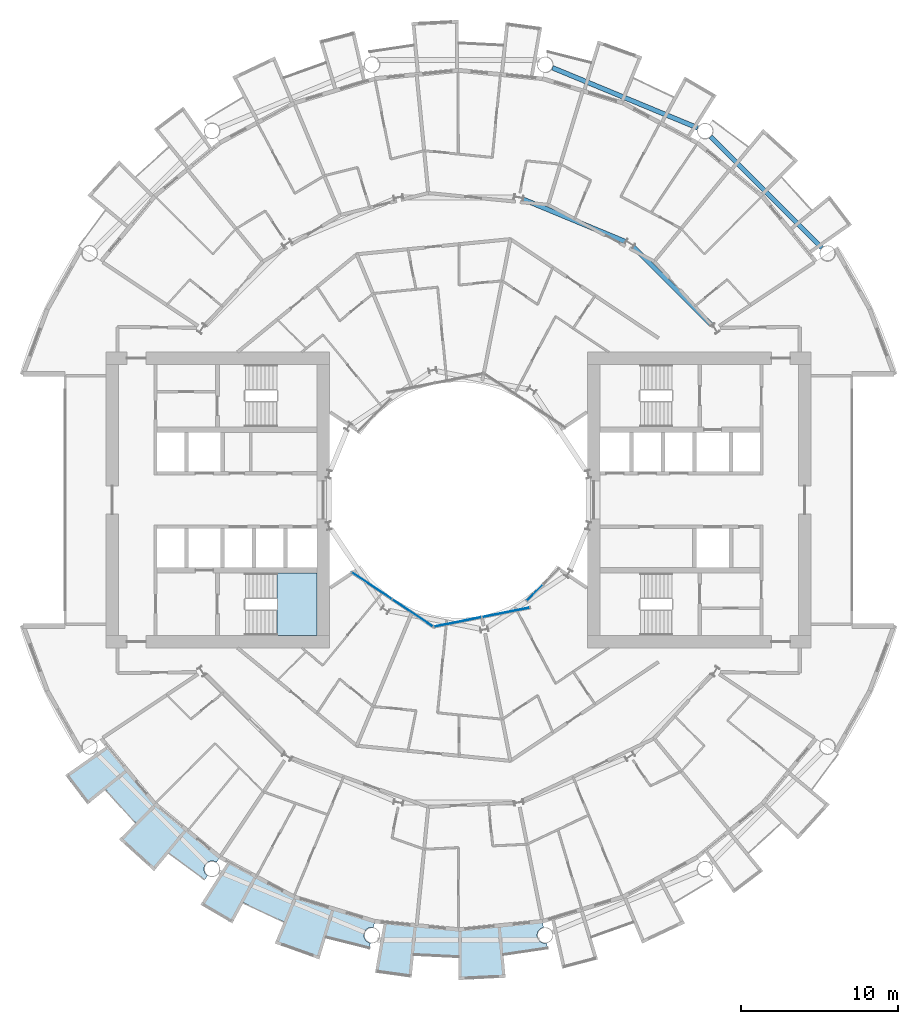
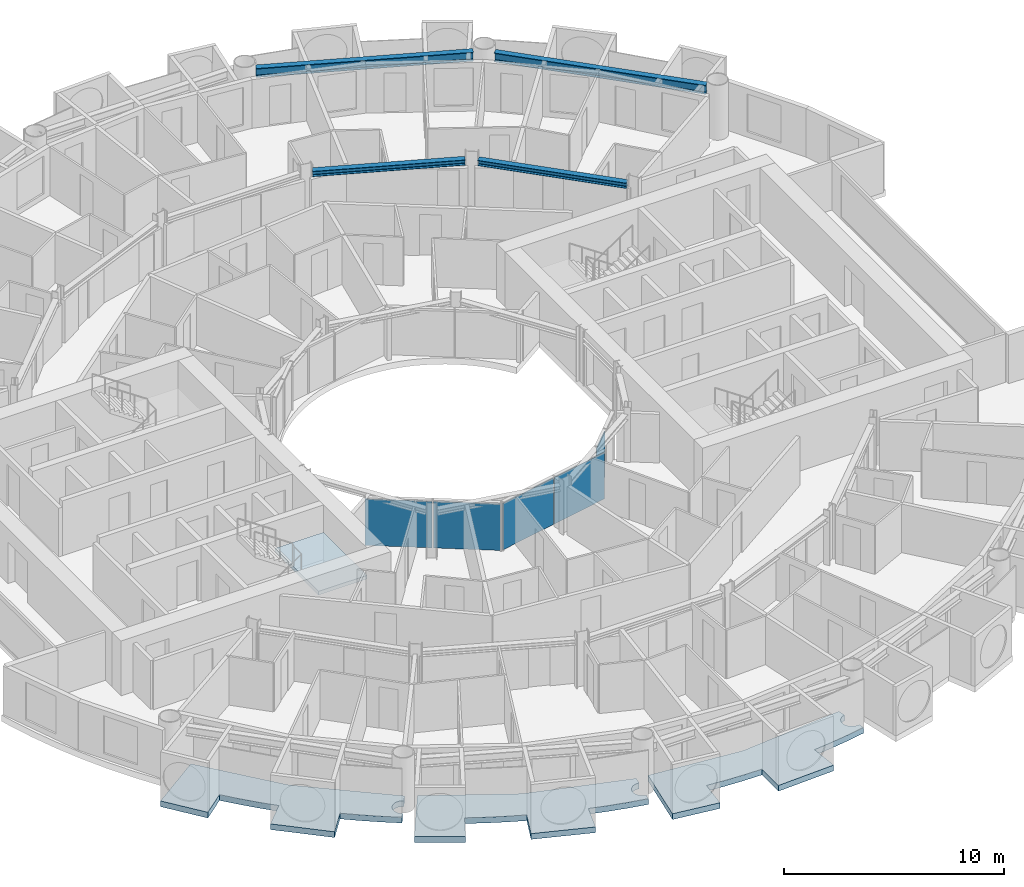
# One storey, part 9 of 26: 5 plates, 4 beams, 4 slabs, 4 elements without a shape of their own.
"""IFC4 building model written with IfcOpenShell, lengths in metres."""

from ifc_helpers import new_model, si_unit, direction, frame, origin, origin_2d, place, context, subcontext, project, spatial, polyline, rectangle, i_section, outline, extrude, material, layer, layer_set, material_profile, profile_set, type_object, element, aggregate, save


model = new_model("IFC4")

# Units and contexts
model_context = context("Model", 3, precision=1e-05, world=origin(), true_north=direction((0.0, 1.0)))
body_context = subcontext(model_context, "Body", "Model", "MODEL_VIEW")
ifc_project = project(units=[si_unit("LENGTHUNIT", "METRE"), si_unit("AREAUNIT", "SQUARE_METRE"), si_unit("VOLUMEUNIT", "CUBIC_METRE"), si_unit("PLANEANGLEUNIT", "RADIAN"), si_unit("MASSUNIT", "GRAM", prefix="KILO")], contexts=[model_context])

# Site, building, storey
site_placement = place(None, origin())
site = spatial("IfcSite", under=ifc_project, at=site_placement, CompositionType="ELEMENT")
building_placement = place(site_placement, origin())
building = spatial("IfcBuilding", under=site, at=building_placement, Name="Maasbend Ring Residences", CompositionType="ELEMENT")
storey_placement = place(building_placement, frame((0.0, 0.0, 22.800048828125)))
storey = spatial("IfcBuildingStorey", under=building, at=storey_placement, Name="L05", CompositionType="ELEMENT", Elevation=22.800048828125)

# Beams
ifc_material_1 = material(Name="Steel S355J2", Category="steel")
ifc_material_profile_1 = material_profile(ifc_material_1, i_section(OverallWidth=0.300048828125, OverallDepth=0.300048828125, WebThickness=0.010986328125, FlangeThickness=0.01904296875, FilletRadius=0.027099609375, at=origin_2d()), Name="HEB 300")
ifc_profile_set_1 = profile_set([ifc_material_profile_1], Name="Steel S355J2")
beam_type_1 = type_object("IfcBeamType", Name="Corridor ring beam HEB 300", PredefinedType="BEAM", material=ifc_profile_set_1)
beam_1_placement = place(storey_placement, frame((16.0732421875, 11.11279296875, 2.550048828125), z_axis=(-0.707106781187, 0.707106781187, 0.0), x_axis=(-0.707106781187, -0.707106781187, 0.0)))
element("IfcBeam", 1, at=beam_1_placement, inside=storey, type_object=beam_type_1, Name="Corridor ring beam", PredefinedType="BEAM", context=body_context, shape_type="SweptSolid", body=[
    extrude(i_section(OverallWidth=0.300048828125, OverallDepth=0.300048828125, WebThickness=0.010986328125, FlangeThickness=0.01904296875, FilletRadius=0.027099609375, at=origin_2d()), origin(), (0.0, 0.0, 1.0), 7.01513671875),
])
beam_2_placement = place(storey_placement, frame((10.59716796875, 16.417724609375, 2.550048828125), z_axis=(-0.923886196809, 0.38266734293, 0.0), x_axis=(-0.38266734293, -0.923886196809, 0.0)))
element("IfcBeam", 2, at=beam_2_placement, inside=storey, type_object=beam_type_1, Name="Corridor ring beam", PredefinedType="BEAM", context=body_context, shape_type="SweptSolid", body=[
    extrude(i_section(OverallWidth=0.300048828125, OverallDepth=0.300048828125, WebThickness=0.010986328125, FlangeThickness=0.01904296875, FilletRadius=0.027099609375, at=origin_2d()), origin(), (0.0, 0.0, 1.0), 7.015380859375),
])
ifc_material_2 = material(Name="Steel S355J2", Category="steel")
ifc_material_profile_2 = material_profile(ifc_material_2, i_section(OverallWidth=0.300048828125, OverallDepth=0.5, WebThickness=0.014404296875, FlangeThickness=0.028076171875, FilletRadius=0.027099609375, at=origin_2d()), Name="HEB 500")
ifc_profile_set_2 = profile_set([ifc_material_profile_2], Name="Steel S355J2")
beam_type_2 = type_object("IfcBeamType", Name="Spandrel ring beam HEB 500", PredefinedType="SPANDREL", material=ifc_profile_set_2)
beam_3_placement = place(storey_placement, frame((23.088134765625, 16.0263671875, 2.449951171875), z_axis=(-0.707106781187, 0.707106781187, 0.0), x_axis=(-0.707106781187, -0.707106781187, 0.0)))
element("IfcBeam", 3, at=beam_3_placement, inside=storey, type_object=beam_type_2, Name="Spandrel ring beam", PredefinedType="SPANDREL", context=body_context, shape_type="SweptSolid", body=[
    extrude(i_section(OverallWidth=0.300048828125, OverallDepth=0.5, WebThickness=0.014404296875, FlangeThickness=0.028076171875, FilletRadius=0.027099609375, at=origin_2d()), origin(), (0.0, 0.0, 1.0), 9.98681640625),
])
beam_4_placement = place(storey_placement, frame((15.19775390625, 23.641845703125, 2.449951171875), z_axis=(-0.923886337442, 0.382667003395, 0.0), x_axis=(-0.382667003395, -0.923886337442, 0.0)))
element("IfcBeam", 4, at=beam_4_placement, inside=storey, type_object=beam_type_2, Name="Spandrel ring beam", PredefinedType="SPANDREL", context=body_context, shape_type="SweptSolid", body=[
    extrude(i_section(OverallWidth=0.300048828125, OverallDepth=0.5, WebThickness=0.014404296875, FlangeThickness=0.028076171875, FilletRadius=0.027099609375, at=origin_2d()), origin(), (0.0, 0.0, 1.0), 9.9873046875),
])

# Stair, slab
ifc_material_3 = material(Name="Concrete C40/50", Category="concrete")
stair_type = type_object("IfcStairType", Name="CORE STAIR 18 RISERS", PredefinedType="HALF_TURN_STAIR", material=ifc_material_3)
stair_placement = place(storey_placement, origin())
stair = element("IfcStair", 5, at=stair_placement, inside=storey, type_object=stair_type, Name="L05 Exit stair ST-W1", PredefinedType="HALF_TURN_STAIR")
ifc_material_4 = material(Name="Concrete C40/50", Category="concrete")
ifc_layer_1 = layer(ifc_material_4, 0.199951171875)
ifc_layer_set_1 = layer_set([ifc_layer_1], Name="Concrete C40/50")
slab_type_1 = type_object("IfcSlabType", Name="CORE STAIR LANDING 200", PredefinedType="LANDING", material=ifc_layer_set_1)
slab_1_placement = place(storey_placement, frame((0.0, 0.0, 1.324951171875)))
slab_1 = element("IfcSlab", 6, at=slab_1_placement, type_object=slab_type_1, Name="ST-W1 landing 1", PredefinedType="LANDING", context=body_context, shape_type="SweptSolid", body=[
    extrude(outline(polyline([(-11.550048828125, -8.60009765625), (-9.0, -8.60009765625), (-9.0, -4.64990234375), (-11.550048828125, -4.64990234375), (-11.550048828125, -8.60009765625)])), origin(), (0.0, 0.0, 1.0), 0.199951171875),
])
aggregate(stair, [slab_1])

# Curtain wall, plates
ifc_material_5 = material(Name="Aluminium and clear glass", Category="aluminium")
ifc_layer_2 = layer(ifc_material_5, 0.179931640625)
ifc_layer_set_2 = layer_set([ifc_layer_2], Name="CW-W")
curtain_wall_type = type_object("IfcCurtainWallType", Name="CW-W", PredefinedType="NOTDEFINED", material=ifc_layer_set_2)
curtain_wall_1_placement = place(storey_placement, origin())
curtain_wall_1 = element("IfcCurtainWall", 7, at=curtain_wall_1_placement, inside=storey, type_object=curtain_wall_type, Name="Well curtain wall S1", PredefinedType="NOTDEFINED")
ifc_material_6 = material(Name="Glass clear laminated", Category="glass")
ifc_layer_3 = layer(ifc_material_6, 0.031982421875)
ifc_layer_set_3 = layer_set([ifc_layer_3], Name="CWP-W")
plate_type = type_object("IfcPlateType", Name="CWP-W", PredefinedType="CURTAIN_PANEL", material=ifc_layer_set_3)
plate_1_placement = place(storey_placement, frame((-5.51123046875, -5.44580078125, 0.0), z_axis=(0.0, 0.0, 1.0), x_axis=(0.831469612303, -0.55557023302, 0.0)))
plate_1 = element("IfcPlate", 8, at=plate_1_placement, type_object=plate_type, Name="Glass panel well face", PredefinedType="CURTAIN_PANEL", context=body_context, shape_type="SweptSolid", body=[
    extrude(rectangle(XDim=3.053955078125, YDim=0.031982421875, at=origin_2d()), origin(), (0.0, 0.0, 1.0), 2.580078125),
])
plate_2_placement = place(storey_placement, frame((-2.922119140625, -7.17578125, 0.0), z_axis=(0.0, 0.0, 1.0), x_axis=(0.831469612303, -0.55557023302, 0.0)))
plate_2 = element("IfcPlate", 9, at=plate_2_placement, type_object=plate_type, Name="Glass panel well face", PredefinedType="CURTAIN_PANEL", context=body_context, shape_type="SweptSolid", body=[
    extrude(rectangle(XDim=3.053955078125, YDim=0.031982421875, at=origin_2d()), origin(), (0.0, 0.0, 1.0), 2.580078125),
])
aggregate(curtain_wall_1, [plate_1, plate_2])

curtain_wall_2_placement = place(storey_placement, origin())
curtain_wall_2 = element("IfcCurtainWall", 10, at=curtain_wall_2_placement, inside=storey, type_object=curtain_wall_type, Name="Well curtain wall S2", PredefinedType="NOTDEFINED")
plate_3_placement = place(storey_placement, frame((-0.04638671875, -7.747802734375, 0.0), z_axis=(0.0, 0.0, 1.0), x_axis=(0.980785280403, 0.195090322016, 0.0)))
plate_3 = element("IfcPlate", 11, at=plate_3_placement, type_object=plate_type, Name="Glass panel well face", PredefinedType="CURTAIN_PANEL", context=body_context, shape_type="SweptSolid", body=[
    extrude(rectangle(XDim=3.053955078125, YDim=0.031982421875, at=origin_2d()), origin(), (0.0, 0.0, 1.0), 2.580078125),
])
plate_4_placement = place(storey_placement, frame((3.0078125, -7.140380859375, 0.0), z_axis=(0.0, 0.0, 1.0), x_axis=(0.980785280403, 0.195090322016, 0.0)))
plate_4 = element("IfcPlate", 12, at=plate_4_placement, type_object=plate_type, Name="Glass panel well face", PredefinedType="CURTAIN_PANEL", context=body_context, shape_type="SweptSolid", body=[
    extrude(rectangle(XDim=3.053955078125, YDim=0.031982421875, at=origin_2d()), origin(), (0.0, 0.0, 1.0), 2.580078125),
])
aggregate(curtain_wall_2, [plate_3, plate_4])

# Curtain wall, plate
curtain_wall_3_placement = place(storey_placement, origin())
curtain_wall_3 = element("IfcCurtainWall", 13, at=curtain_wall_3_placement, inside=storey, type_object=curtain_wall_type, Name="Well curtain wall S3", PredefinedType="NOTDEFINED")
plate_5_placement = place(storey_placement, frame((4.84375, -5.89013671875, 0.0), z_axis=(0.0, 0.0, 1.0), x_axis=(0.707106781187, 0.707106781187, 0.0)))
plate_5 = element("IfcPlate", 14, at=plate_5_placement, type_object=plate_type, Name="Glass panel well face", PredefinedType="CURTAIN_PANEL", context=body_context, shape_type="SweptSolid", body=[
    extrude(rectangle(XDim=1.419677734375, YDim=0.031982421875, at=origin_2d()), origin(), (0.0, 0.0, 1.0), 2.580078125),
])
aggregate(curtain_wall_3, [plate_5])

# Slabs
ifc_material_7 = material(Name="Concrete C40/50", Category="concrete")
ifc_layer_4 = layer(ifc_material_7, 0.199951171875)
ifc_layer_set_4 = layer_set([ifc_layer_4], Name="Concrete C40/50")
slab_type_2 = type_object("IfcSlabType", Name="SL-LOGGIA", PredefinedType="FLOOR", material=ifc_layer_set_4)
slab_2_placement = place(storey_placement, frame((0.0, 0.0, -0.35009765625)))
element("IfcSlab", 15, at=slab_2_placement, inside=storey, type_object=slab_type_2, Name="Loggia floor 2", PredefinedType="FLOOR", context=body_context, shape_type="SweptSolid", body=[
    extrude(outline(polyline([(-12.806884765625, -23.9609375), (-10.447021484375, -25.221923828125), (-10.447021484375, -25.221923828125), (-10.447021484375, -25.221923828125), (-7.886962890625, -25.9990234375), (-5.325927734375, -26.77490234375), (-5.325927734375, -26.77490234375), (-5.325927734375, -26.77490234375), (-5.402099609375, -27.159912109375), (-5.4150390625, -27.157958984375), (-5.427001953125, -27.156005859375), (-5.43896484375, -27.154052734375), (-5.451904296875, -27.153076171875), (-5.464111328125, -27.15087890625), (-5.47705078125, -27.15087890625), (-5.489013671875, -27.14990234375), (-5.501953125, -27.14990234375), (-5.513916015625, -27.14990234375), (-5.52587890625, -27.15087890625), (-5.5390625, -27.15087890625), (-5.551025390625, -27.153076171875), (-5.56396484375, -27.154052734375), (-5.575927734375, -27.156005859375), (-5.587890625, -27.157958984375), (-5.60107421875, -27.159912109375), (-5.613037109375, -27.162109375), (-5.625, -27.1650390625), (-5.636962890625, -27.1689453125), (-5.64892578125, -27.172119140625), (-5.660888671875, -27.176025390625), (-5.673095703125, -27.179931640625), (-5.68408203125, -27.18408203125), (-5.696044921875, -27.18896484375), (-5.70703125, -27.194091796875), (-5.718994140625, -27.198974609375), (-5.72998046875, -27.2041015625), (-5.740966796875, -27.2099609375), (-5.751953125, -27.216064453125), (-5.762939453125, -27.221923828125), (-5.77294921875, -27.22900390625), (-5.783935546875, -27.236083984375), (-5.7939453125, -27.242919921875), (-5.803955078125, -27.25), (-5.81396484375, -27.258056640625), (-5.823974609375, -27.264892578125), (-5.8330078125, -27.27294921875), (-5.843017578125, -27.281982421875), (-5.85205078125, -27.2900390625), (-5.861083984375, -27.299072265625), (-5.868896484375, -27.30810546875), (-5.8779296875, -27.31689453125), (-5.885986328125, -27.325927734375), (-5.89404296875, -27.3359375), (-5.902099609375, -27.345947265625), (-5.909912109375, -27.35498046875), (-5.9169921875, -27.365966796875), (-5.924072265625, -27.3759765625), (-5.930908203125, -27.385986328125), (-5.93701171875, -27.39697265625), (-5.944091796875, -27.407958984375), (-5.949951171875, -27.4189453125), (-5.955078125, -27.429931640625), (-5.9609375, -27.44091796875), (-5.966064453125, -27.451904296875), (-5.970947265625, -27.464111328125), (-5.97509765625, -27.47509765625), (-5.97998046875, -27.487060546875), (-5.98388671875, -27.4990234375), (-5.988037109375, -27.510986328125), (-5.990966796875, -27.52294921875), (-5.993896484375, -27.534912109375), (-5.9970703125, -27.547119140625), (-6.0, -27.55908203125), (-6.001953125, -27.571044921875), (-6.00390625, -27.583984375), (-6.006103515625, -27.595947265625), (-6.007080078125, -27.60791015625), (-6.008056640625, -27.62109375), (-6.009033203125, -27.633056640625), (-6.009033203125, -27.64599609375), (-6.010009765625, -27.657958984375), (-6.009033203125, -27.6708984375), (-6.009033203125, -27.68310546875), (-6.008056640625, -27.695068359375), (-6.007080078125, -27.7080078125), (-6.006103515625, -27.719970703125), (-6.00390625, -27.73291015625), (-6.001953125, -27.7451171875), (-6.0, -27.757080078125), (-5.9970703125, -27.76904296875), (-5.993896484375, -27.781982421875), (-5.990966796875, -27.7939453125), (-5.988037109375, -27.805908203125), (-5.98388671875, -27.81689453125), (-5.97998046875, -27.8291015625), (-5.97509765625, -27.841064453125), (-5.970947265625, -27.85302734375), (-5.966064453125, -27.864013671875), (-5.9609375, -27.875), (-5.955078125, -27.886962890625), (-5.949951171875, -27.89794921875), (-5.944091796875, -27.907958984375), (-5.93701171875, -27.9189453125), (-5.930908203125, -27.929931640625), (-5.924072265625, -27.93994140625), (-5.9169921875, -27.950927734375), (-5.909912109375, -27.9609375), (-5.902099609375, -27.970947265625), (-5.89404296875, -27.97998046875), (-5.885986328125, -27.989990234375), (-5.8779296875, -27.9990234375), (-5.868896484375, -28.008056640625), (-5.861083984375, -28.01708984375), (-5.85205078125, -28.02587890625), (-5.843017578125, -28.034912109375), (-5.8330078125, -28.04296875), (-5.823974609375, -28.051025390625), (-5.81396484375, -28.05908203125), (-5.803955078125, -28.06591796875), (-5.7939453125, -28.072998046875), (-5.783935546875, -28.080078125), (-5.77294921875, -28.0869140625), (-5.762939453125, -28.093994140625), (-5.751953125, -28.10009765625), (-5.740966796875, -28.10595703125), (-5.72998046875, -28.112060546875), (-5.718994140625, -28.116943359375), (-5.70703125, -28.123046875), (-5.696044921875, -28.126953125), (-5.68408203125, -28.132080078125), (-5.673095703125, -28.135986328125), (-5.660888671875, -28.139892578125), (-5.64892578125, -28.14404296875), (-5.636962890625, -28.14794921875), (-5.625, -28.15087890625), (-5.613037109375, -28.154052734375), (-5.60107421875, -28.156005859375), (-5.657958984375, -28.443115234375), (-5.657958984375, -28.443115234375), (-5.657958984375, -28.443115234375), (-6.5849609375, -28.241943359375), (-6.5849609375, -28.241943359375), (-7.506103515625, -28.011962890625), (-7.506103515625, -28.011962890625), (-8.41796875, -27.7509765625), (-8.41796875, -27.7509765625), (-8.41796875, -27.7509765625), (-8.41796875, -27.7509765625), (-8.41796875, -27.7509765625), (-8.41796875, -27.7509765625), (-8.41796875, -27.7509765625), (-8.41796875, -27.7509765625), (-8.41796875, -27.7509765625), (-8.41796875, -27.7509765625), (-8.41796875, -27.751953125), (-8.41796875, -27.751953125), (-8.41796875, -27.751953125), (-8.41796875, -27.751953125), (-8.41796875, -27.751953125), (-8.41796875, -27.751953125), (-8.41796875, -27.751953125), (-8.85400390625, -29.18701171875), (-8.85400390625, -29.18701171875), (-8.85400390625, -29.18701171875), (-11.672119140625, -28.177978515625), (-11.672119140625, -28.177978515625), (-11.672119140625, -28.177978515625), (-11.097900390625, -26.79296875), (-11.097900390625, -26.79296875), (-11.097900390625, -26.79296875), (-11.097900390625, -26.79296875), (-11.097900390625, -26.79296875), (-11.097900390625, -26.79296875), (-11.097900390625, -26.79296875), (-11.097900390625, -26.79296875), (-11.097900390625, -26.79296875), (-11.097900390625, -26.79296875), (-11.097900390625, -26.7919921875), (-11.097900390625, -26.7919921875), (-11.097900390625, -26.7919921875), (-11.097900390625, -26.7919921875), (-11.097900390625, -26.7919921875), (-11.097900390625, -26.7919921875), (-11.097900390625, -26.7919921875), (-11.968994140625, -26.4150390625), (-11.968994140625, -26.4150390625), (-12.825927734375, -26.009033203125), (-12.825927734375, -26.009033203125), (-13.669921875, -25.575927734375), (-13.669921875, -25.575927734375), (-13.669921875, -25.575927734375), (-13.669921875, -25.575927734375), (-13.669921875, -25.575927734375), (-13.669921875, -25.575927734375), (-13.669921875, -25.575927734375), (-13.669921875, -25.575927734375), (-13.669921875, -25.575927734375), (-13.669921875, -25.575927734375), (-13.6708984375, -25.575927734375), (-13.6708984375, -25.575927734375), (-13.6708984375, -25.575927734375), (-13.6708984375, -25.575927734375), (-13.6708984375, -25.575927734375), (-13.6708984375, -25.575927734375), (-13.6708984375, -25.575927734375), (-14.3779296875, -26.89892578125), (-14.3779296875, -26.89892578125), (-14.3779296875, -26.89892578125), (-16.39404296875, -25.718994140625), (-16.39404296875, -25.718994140625), (-16.39404296875, -25.718994140625), (-14.64599609375, -22.97705078125), (-14.64599609375, -22.97705078125), (-14.64599609375, -22.97705078125), (-12.806884765625, -23.9609375)])), origin(), (0.0, 0.0, 1.0), 0.320068359375),
])
slab_3_placement = place(storey_placement, frame((0.0, 0.0, -0.35009765625)))
element("IfcSlab", 16, at=slab_3_placement, inside=storey, type_object=slab_type_2, Name="Loggia floor 3", PredefinedType="FLOOR", context=body_context, shape_type="SweptSolid", body=[
    extrude(outline(polyline([(-2.6630859375, -27.0380859375), (0.0, -27.300048828125), (0.0, -27.300048828125), (0.0, -27.300048828125), (2.6630859375, -27.0380859375), (5.325927734375, -26.77490234375), (5.325927734375, -26.77490234375), (5.325927734375, -26.77490234375), (5.402099609375, -27.159912109375), (5.402099609375, -27.159912109375), (5.389892578125, -27.162109375), (5.3779296875, -27.1650390625), (5.365966796875, -27.1689453125), (5.35400390625, -27.172119140625), (5.342041015625, -27.176025390625), (5.330078125, -27.179931640625), (5.319091796875, -27.18408203125), (5.306884765625, -27.18896484375), (5.2958984375, -27.194091796875), (5.283935546875, -27.198974609375), (5.27294921875, -27.2041015625), (5.261962890625, -27.2099609375), (5.2509765625, -27.216064453125), (5.239990234375, -27.221923828125), (5.22998046875, -27.22900390625), (5.218994140625, -27.236083984375), (5.208984375, -27.242919921875), (5.198974609375, -27.25), (5.18896484375, -27.258056640625), (5.178955078125, -27.264892578125), (5.169921875, -27.27294921875), (5.159912109375, -27.281982421875), (5.15087890625, -27.2900390625), (5.14208984375, -27.299072265625), (5.134033203125, -27.30810546875), (5.125, -27.31689453125), (5.116943359375, -27.325927734375), (5.10888671875, -27.3359375), (5.10107421875, -27.345947265625), (5.093017578125, -27.35498046875), (5.0859375, -27.365966796875), (5.0791015625, -27.3759765625), (5.072021484375, -27.385986328125), (5.06591796875, -27.39697265625), (5.05908203125, -27.407958984375), (5.052978515625, -27.4189453125), (5.048095703125, -27.429931640625), (5.0419921875, -27.44091796875), (5.037109375, -27.451904296875), (5.031982421875, -27.464111328125), (5.028076171875, -27.47509765625), (5.02294921875, -27.487060546875), (5.01904296875, -27.4990234375), (5.014892578125, -27.510986328125), (5.011962890625, -27.52294921875), (5.009033203125, -27.534912109375), (5.006103515625, -27.547119140625), (5.0029296875, -27.55908203125), (5.0009765625, -27.571044921875), (4.9990234375, -27.583984375), (4.9970703125, -27.595947265625), (4.99609375, -27.60791015625), (4.9951171875, -27.62109375), (4.993896484375, -27.633056640625), (4.993896484375, -27.64599609375), (4.993896484375, -27.657958984375), (4.993896484375, -27.6708984375), (4.993896484375, -27.68310546875), (4.9951171875, -27.695068359375), (4.99609375, -27.7080078125), (4.9970703125, -27.719970703125), (4.9990234375, -27.73291015625), (5.0009765625, -27.7451171875), (5.0029296875, -27.757080078125), (5.006103515625, -27.76904296875), (5.009033203125, -27.781982421875), (5.011962890625, -27.7939453125), (5.014892578125, -27.805908203125), (5.01904296875, -27.81689453125), (5.02294921875, -27.8291015625), (5.028076171875, -27.841064453125), (5.031982421875, -27.85302734375), (5.037109375, -27.864013671875), (5.0419921875, -27.875), (5.048095703125, -27.886962890625), (5.052978515625, -27.89794921875), (5.05908203125, -27.907958984375), (5.06591796875, -27.9189453125), (5.072021484375, -27.929931640625), (5.0791015625, -27.93994140625), (5.0859375, -27.950927734375), (5.093017578125, -27.9609375), (5.10107421875, -27.970947265625), (5.10888671875, -27.97998046875), (5.116943359375, -27.989990234375), (5.125, -27.9990234375), (5.134033203125, -28.008056640625), (5.14208984375, -28.01708984375), (5.15087890625, -28.02587890625), (5.159912109375, -28.034912109375), (5.169921875, -28.04296875), (5.178955078125, -28.051025390625), (5.18896484375, -28.05908203125), (5.198974609375, -28.06591796875), (5.208984375, -28.072998046875), (5.218994140625, -28.080078125), (5.22998046875, -28.0869140625), (5.239990234375, -28.093994140625), (5.2509765625, -28.10009765625), (5.261962890625, -28.10595703125), (5.27294921875, -28.112060546875), (5.283935546875, -28.116943359375), (5.2958984375, -28.123046875), (5.306884765625, -28.126953125), (5.319091796875, -28.132080078125), (5.330078125, -28.135986328125), (5.342041015625, -28.139892578125), (5.35400390625, -28.14404296875), (5.365966796875, -28.14794921875), (5.3779296875, -28.15087890625), (5.389892578125, -28.154052734375), (5.402099609375, -28.156005859375), (5.4150390625, -28.158935546875), (5.427001953125, -28.160888671875), (5.43896484375, -28.162109375), (5.451904296875, -28.1640625), (5.464111328125, -28.1650390625), (5.47705078125, -28.1650390625), (5.489013671875, -28.166015625), (5.501953125, -28.166015625), (5.513916015625, -28.166015625), (5.52587890625, -28.1650390625), (5.5390625, -28.1650390625), (5.551025390625, -28.1640625), (5.56396484375, -28.162109375), (5.575927734375, -28.160888671875), (5.587890625, -28.158935546875), (5.60107421875, -28.156005859375), (5.60107421875, -28.156005859375), (5.657958984375, -28.443115234375), (5.657958984375, -28.443115234375), (5.657958984375, -28.443115234375), (4.72412109375, -28.613037109375), (4.72412109375, -28.613037109375), (3.784912109375, -28.751953125), (3.784912109375, -28.751953125), (2.843017578125, -28.860107421875), (2.843017578125, -28.860107421875), (2.843017578125, -28.860107421875), (2.843017578125, -28.860107421875), (2.843017578125, -28.860107421875), (2.843017578125, -28.860107421875), (2.843017578125, -28.860107421875), (2.843017578125, -28.860107421875), (2.843017578125, -28.860107421875), (2.843017578125, -28.861083984375), (2.843017578125, -28.861083984375), (2.843017578125, -28.861083984375), (2.843017578125, -28.861083984375), (2.843017578125, -28.861083984375), (2.843017578125, -28.861083984375), (2.843017578125, -28.861083984375), (2.843017578125, -28.861083984375), (2.989990234375, -30.35302734375), (2.989990234375, -30.35302734375), (2.989990234375, -30.35302734375), (0.0, -30.5), (0.0, -30.5), (0.0, -30.5), (0.0, -29.0), (0.0, -29.0), (0.0, -29.0), (0.0, -29.0), (0.0, -29.0), (0.0, -29.0), (0.0, -29.0), (0.0, -29.0), (0.0, -29.0), (0.0, -29.0), (0.0, -29.0), (0.0, -29.0), (0.0, -29.0), (0.0, -29.0), (0.0, -29.0), (0.0, -29.0), (0.0, -29.0), (-0.948974609375, -28.98388671875), (-0.948974609375, -28.98388671875), (-1.89697265625, -28.93798828125), (-1.89697265625, -28.93798828125), (-2.842041015625, -28.860107421875), (-2.842041015625, -28.860107421875), (-2.842041015625, -28.860107421875), (-2.842041015625, -28.860107421875), (-2.842041015625, -28.860107421875), (-2.842041015625, -28.860107421875), (-2.842041015625, -28.860107421875), (-2.842041015625, -28.860107421875), (-2.842041015625, -28.861083984375), (-2.842041015625, -28.861083984375), (-2.842041015625, -28.861083984375), (-2.842041015625, -28.861083984375), (-2.842041015625, -28.861083984375), (-2.843017578125, -28.861083984375), (-2.843017578125, -28.861083984375), (-2.843017578125, -28.861083984375), (-2.843017578125, -28.861083984375), (-2.989990234375, -30.35302734375), (-2.989990234375, -30.35302734375), (-2.989990234375, -30.35302734375), (-5.303955078125, -30.034912109375), (-5.303955078125, -30.034912109375), (-5.303955078125, -30.034912109375), (-4.739013671875, -26.8330078125), (-4.739013671875, -26.8330078125), (-4.739013671875, -26.8330078125), (-2.6630859375, -27.0380859375)])), origin(), (0.0, 0.0, 1.0), 0.320068359375),
])
slab_4_placement = place(storey_placement, frame((0.0, 0.0, -0.35009765625)))
element("IfcSlab", 17, at=slab_4_placement, inside=storey, type_object=slab_type_2, Name="Loggia floor 5", PredefinedType="FLOOR", context=body_context, shape_type="SweptSolid", body=[
    extrude(outline(polyline([(-21.001953125, -17.236083984375), (-19.303955078125, -19.303955078125), (-19.303955078125, -19.303955078125), (-19.303955078125, -19.303955078125), (-17.236083984375, -21.001953125), (-15.1669921875, -22.698974609375), (-15.1669921875, -22.698974609375), (-15.1669921875, -22.698974609375), (-15.385009765625, -23.02490234375), (-15.385009765625, -23.02490234375), (-15.39501953125, -23.01806640625), (-15.406005859375, -23.011962890625), (-15.4169921875, -23.0048828125), (-15.427978515625, -22.9990234375), (-15.43896484375, -22.993896484375), (-15.449951171875, -22.988037109375), (-15.4609375, -22.98291015625), (-15.472900390625, -22.97802734375), (-15.48388671875, -22.972900390625), (-15.49609375, -22.968994140625), (-15.508056640625, -22.965087890625), (-15.52001953125, -22.9609375), (-15.531982421875, -22.9580078125), (-15.5439453125, -22.955078125), (-15.555908203125, -22.951904296875), (-15.568115234375, -22.948974609375), (-15.580078125, -22.947021484375), (-15.593017578125, -22.945068359375), (-15.60498046875, -22.943115234375), (-15.616943359375, -22.94189453125), (-15.6298828125, -22.94091796875), (-15.64208984375, -22.93994140625), (-15.655029296875, -22.93994140625), (-15.6669921875, -22.93896484375), (-15.679931640625, -22.93994140625), (-15.69189453125, -22.93994140625), (-15.7041015625, -22.94091796875), (-15.717041015625, -22.94189453125), (-15.72900390625, -22.943115234375), (-15.741943359375, -22.945068359375), (-15.75390625, -22.947021484375), (-15.76611328125, -22.948974609375), (-15.778076171875, -22.951904296875), (-15.791015625, -22.955078125), (-15.802978515625, -22.9580078125), (-15.81494140625, -22.9609375), (-15.825927734375, -22.965087890625), (-15.837890625, -22.968994140625), (-15.85009765625, -22.972900390625), (-15.862060546875, -22.97802734375), (-15.873046875, -22.98291015625), (-15.884033203125, -22.988037109375), (-15.89599609375, -22.993896484375), (-15.906982421875, -22.9990234375), (-15.9169921875, -23.0048828125), (-15.927978515625, -23.011962890625), (-15.93896484375, -23.01806640625), (-15.948974609375, -23.02490234375), (-15.9599609375, -23.031982421875), (-15.969970703125, -23.0390625), (-15.97998046875, -23.047119140625), (-15.989013671875, -23.054931640625), (-15.9990234375, -23.06298828125), (-16.008056640625, -23.071044921875), (-16.01708984375, -23.0791015625), (-16.02587890625, -23.087890625), (-16.034912109375, -23.096923828125), (-16.0439453125, -23.10595703125), (-16.052001953125, -23.115966796875), (-16.06005859375, -23.125), (-16.068115234375, -23.135009765625), (-16.074951171875, -23.14501953125), (-16.08203125, -23.155029296875), (-16.089111328125, -23.1650390625), (-16.095947265625, -23.176025390625), (-16.10302734375, -23.18603515625), (-16.10888671875, -23.197021484375), (-16.114990234375, -23.2080078125), (-16.12109375, -23.218994140625), (-16.1259765625, -23.22998046875), (-16.132080078125, -23.241943359375), (-16.135986328125, -23.2529296875), (-16.14111328125, -23.264892578125), (-16.14501953125, -23.27587890625), (-16.14892578125, -23.2880859375), (-16.153076171875, -23.300048828125), (-16.156982421875, -23.31201171875), (-16.159912109375, -23.323974609375), (-16.1630859375, -23.3359375), (-16.1650390625, -23.347900390625), (-16.16796875, -23.361083984375), (-16.169921875, -23.373046875), (-16.1708984375, -23.385009765625), (-16.173095703125, -23.39794921875), (-16.174072265625, -23.409912109375), (-16.174072265625, -23.422119140625), (-16.175048828125, -23.43505859375), (-16.175048828125, -23.447021484375), (-16.175048828125, -23.4599609375), (-16.174072265625, -23.471923828125), (-16.174072265625, -23.485107421875), (-16.173095703125, -23.4970703125), (-16.1708984375, -23.510009765625), (-16.169921875, -23.52197265625), (-16.16796875, -23.533935546875), (-16.1650390625, -23.547119140625), (-16.1630859375, -23.55908203125), (-16.159912109375, -23.571044921875), (-16.156982421875, -23.5830078125), (-16.153076171875, -23.594970703125), (-16.14892578125, -23.60693359375), (-16.14501953125, -23.618896484375), (-16.14111328125, -23.6298828125), (-16.135986328125, -23.64208984375), (-16.132080078125, -23.653076171875), (-16.1259765625, -23.6650390625), (-16.12109375, -23.676025390625), (-16.114990234375, -23.68701171875), (-16.10888671875, -23.697998046875), (-16.10302734375, -23.708984375), (-16.095947265625, -23.718994140625), (-16.089111328125, -23.72998046875), (-16.08203125, -23.739990234375), (-16.074951171875, -23.75), (-16.068115234375, -23.760009765625), (-16.06005859375, -23.77001953125), (-16.052001953125, -23.779052734375), (-16.0439453125, -23.7890625), (-16.034912109375, -23.798095703125), (-16.02587890625, -23.806884765625), (-16.01708984375, -23.81494140625), (-16.008056640625, -23.823974609375), (-15.9990234375, -23.83203125), (-15.989013671875, -23.840087890625), (-15.97998046875, -23.847900390625), (-15.969970703125, -23.85498046875), (-15.9599609375, -23.863037109375), (-15.948974609375, -23.8701171875), (-15.948974609375, -23.8701171875), (-16.112060546875, -24.113037109375), (-16.112060546875, -24.113037109375), (-16.112060546875, -24.113037109375), (-16.89208984375, -23.572998046875), (-16.89208984375, -23.572998046875), (-17.654052734375, -23.007080078125), (-17.654052734375, -23.007080078125), (-18.39697265625, -22.41796875), (-18.39697265625, -22.41796875), (-18.39697265625, -22.41796875), (-18.39697265625, -22.41796875), (-18.39697265625, -22.41796875), (-18.39697265625, -22.41796875), (-18.39697265625, -22.41796875), (-18.39697265625, -22.41796875), (-18.39697265625, -22.41796875), (-18.39697265625, -22.41796875), (-18.39697265625, -22.41796875), (-18.39794921875, -22.41796875), (-18.39794921875, -22.41796875), (-18.39794921875, -22.41796875), (-18.39794921875, -22.41796875), (-18.39794921875, -22.41796875), (-18.39794921875, -22.41796875), (-19.34912109375, -23.576904296875), (-19.34912109375, -23.576904296875), (-19.34912109375, -23.576904296875), (-21.56689453125, -21.56689453125), (-21.56689453125, -21.56689453125), (-21.56689453125, -21.56689453125), (-20.506103515625, -20.506103515625), (-20.506103515625, -20.506103515625), (-20.506103515625, -20.506103515625), (-20.506103515625, -20.506103515625), (-20.506103515625, -20.506103515625), (-20.506103515625, -20.506103515625), (-20.506103515625, -20.506103515625), (-20.506103515625, -20.506103515625), (-20.506103515625, -20.506103515625), (-20.506103515625, -20.506103515625), (-20.506103515625, -20.506103515625), (-20.506103515625, -20.506103515625), (-20.506103515625, -20.506103515625), (-20.506103515625, -20.506103515625), (-20.506103515625, -20.506103515625), (-20.506103515625, -20.506103515625), (-20.506103515625, -20.506103515625), (-21.166015625, -19.823974609375), (-21.166015625, -19.823974609375), (-21.802978515625, -19.12109375), (-21.802978515625, -19.12109375), (-22.4169921875, -18.39794921875), (-22.4169921875, -18.39794921875), (-22.4169921875, -18.39794921875), (-22.4169921875, -18.39794921875), (-22.4169921875, -18.39794921875), (-22.4169921875, -18.39794921875), (-22.4169921875, -18.39794921875), (-22.4169921875, -18.39794921875), (-22.4169921875, -18.39794921875), (-22.4169921875, -18.39794921875), (-22.4169921875, -18.39794921875), (-22.4169921875, -18.39794921875), (-22.41796875, -18.39794921875), (-22.41796875, -18.39794921875), (-22.41796875, -18.39794921875), (-22.41796875, -18.39794921875), (-22.41796875, -18.39794921875), (-23.576904296875, -19.34912109375), (-23.576904296875, -19.34912109375), (-23.576904296875, -19.34912109375), (-24.989013671875, -17.488037109375), (-24.989013671875, -17.488037109375), (-24.989013671875, -17.488037109375), (-22.324951171875, -15.623046875), (-22.324951171875, -15.623046875), (-22.324951171875, -15.623046875), (-21.001953125, -17.236083984375)])), origin(), (0.0, 0.0, 1.0), 0.320068359375),
])

save(model, "model.ifc")
